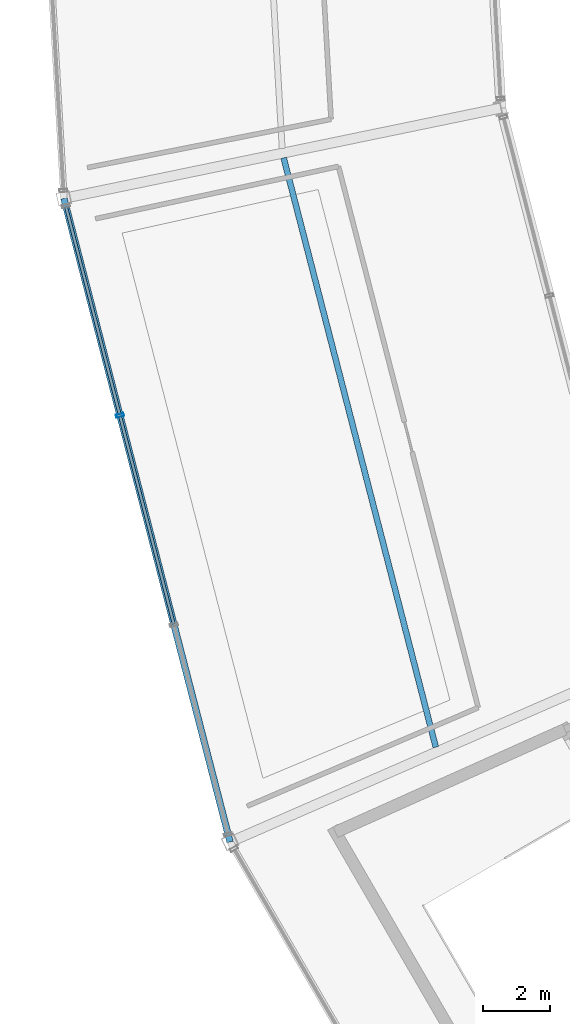
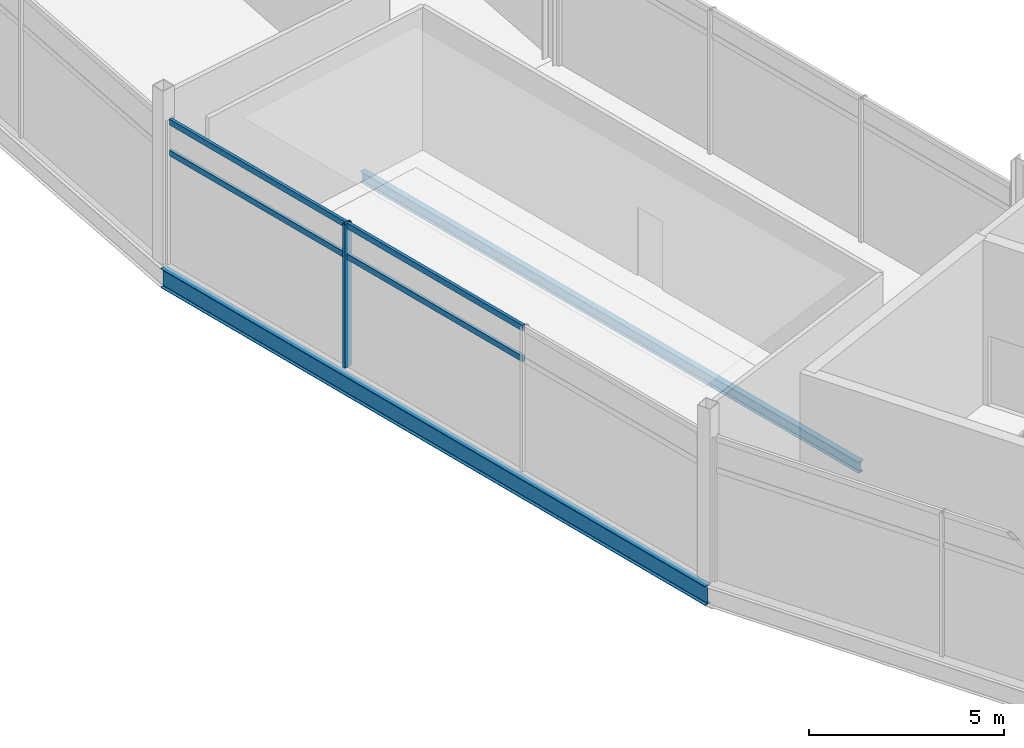
# One storey, part 26 of 86: 5 members, 2 beams, 1 element without a shape of its own.
"""IFC4 building model written with IfcOpenShell, lengths in metres."""

from ifc_helpers import new_model, si_unit, direction, frame, origin, origin_2d, place, context, subcontext, project, spatial, hollow_rectangle, i_section, extrude, material, layer, layer_set, material_profile, profile_set, type_object, element, aggregate, save


model = new_model("IFC4")

# Units and contexts
model_context = context("Model", 3, precision=1e-05, world=origin(), true_north=direction((0.0, 1.0)))
body_context = subcontext(model_context, "Body", "Model", "MODEL_VIEW")
ifc_project = project(units=[si_unit("LENGTHUNIT", "METRE"), si_unit("AREAUNIT", "SQUARE_METRE"), si_unit("VOLUMEUNIT", "CUBIC_METRE"), si_unit("PLANEANGLEUNIT", "RADIAN"), si_unit("MASSUNIT", "GRAM", prefix="KILO")], contexts=[model_context])

# Site, building, storey
site_placement = place(None, origin())
site = spatial("IfcSite", under=ifc_project, at=site_placement, CompositionType="ELEMENT")
building_placement = place(site_placement, origin())
building = spatial("IfcBuilding", under=site, at=building_placement, Name="Kazemori Nagisa Stadium", CompositionType="ELEMENT")
storey_placement = place(building_placement, frame((0.0, 0.0, 31.280029296875)))
storey = spatial("IfcBuildingStorey", under=building, at=storey_placement, Name="L06", CompositionType="ELEMENT", Elevation=31.280029296875)

# Beams
ifc_material_1 = material(Name="Steel SN490B", Category="steel")
ifc_material_profile_1 = material_profile(ifc_material_1, i_section(OverallWidth=0.175048828125, OverallDepth=0.35009765625, WebThickness=0.007080078125, FlangeThickness=0.010986328125, FilletRadius=0.012939453125, at=origin_2d()), Name="H-350x175x7x11")
ifc_profile_set_1 = profile_set([ifc_material_profile_1], Name="Steel SN490B")
beam_type_1 = type_object("IfcBeamType", Name="Beam_BJ-H350", PredefinedType="JOIST", material=ifc_profile_set_1)
beam_1_placement = place(storey_placement, frame((35.72705078125, 83.81982421875, -0.43505859375), z_axis=(0.249965990044, -0.968254617248, 0.0), x_axis=(0.968254617248, 0.249965990044, 0.0)))
element("IfcBeam", 1, at=beam_1_placement, inside=storey, type_object=beam_type_1, Name="Outer bay joist BJ-H350 L06 B16", PredefinedType="JOIST", context=body_context, shape_type="SweptSolid", body=[
    extrude(i_section(OverallWidth=0.175048828125, OverallDepth=0.35009765625, WebThickness=0.007080078125, FlangeThickness=0.010986328125, FilletRadius=0.012939453125, at=origin_2d()), origin(), (0.0, 0.0, 1.0), 18.29736328125),
])
ifc_material_profile_2 = material_profile(ifc_material_1, i_section(OverallWidth=0.199951171875, OverallDepth=0.60009765625, WebThickness=0.010986328125, FlangeThickness=0.01708984375, FilletRadius=0.012939453125, at=origin_2d()), Name="H-600x200x11x17")
ifc_profile_set_2 = profile_set([ifc_material_profile_2], Name="Steel SN490B")
beam_type_2 = type_object("IfcBeamType", Name="Beam_BS-H600", PredefinedType="SPANDREL", material=ifc_profile_set_2)
beam_2_placement = place(storey_placement, frame((29.119140625, 82.602294921875, -0.56005859375), z_axis=(0.249964097999, -0.968255105699, 0.0), x_axis=(0.968255105699, 0.249964097999, 0.0)))
element("IfcBeam", 2, at=beam_2_placement, inside=storey, type_object=beam_type_2, Name="Ring girder BS-H600 L06 R3-16", PredefinedType="SPANDREL", context=body_context, shape_type="SweptSolid", body=[
    extrude(i_section(OverallWidth=0.199951171875, OverallDepth=0.60009765625, WebThickness=0.010986328125, FlangeThickness=0.01708984375, FilletRadius=0.012939453125, at=origin_2d()), origin(), (0.0, 0.0, 1.0), 19.986328125),
])

# Curtain wall, members
ifc_material_2 = material(Name="Anodised aluminium 6063-T5", Category="aluminium")
ifc_layer = layer(ifc_material_2, 0.239990234375, Name="Anodised aluminium 6063-T5", Category="aluminium")
ifc_layer_set = layer_set([ifc_layer], Name="Anodised aluminium 6063-T5")
curtain_wall_type = type_object("IfcCurtainWallType", Name="CW_L06R3_98", PredefinedType="USERDEFINED", material=ifc_layer_set)
curtain_wall_placement = place(storey_placement, origin())
curtain_wall = element("IfcCurtainWall", 3, at=curtain_wall_placement, inside=storey, type_object=curtain_wall_type, Name="Unitised curtain wall CW-L06R3-98 L06", ObjectType="UNITISED CURTAIN WALL", PredefinedType="USERDEFINED")
ifc_material_3 = material(Name="Aluminium 6063-T5 anodised", Category="aluminium")
ifc_material_profile_3 = material_profile(ifc_material_3, hollow_rectangle(XDim=0.090087890625, YDim=0.239990234375, WallThickness=0.0048828125, at=origin_2d()), Name="ALU-MULL-90x240x5")
ifc_profile_set_3 = profile_set([ifc_material_profile_3], Name="Aluminium 6063-T5 anodised")
member_type_1 = type_object("IfcMemberType", Name="Mullion_M03", PredefinedType="MULLION", material=ifc_profile_set_3)
member_1_placement = place(storey_placement, frame((30.803955078125, 76.075927734375, 0.0), z_axis=(0.0, 0.0, 1.0), x_axis=(0.249964642418, -0.968254965152, 0.0)))
member_1 = element("IfcMember", 4, at=member_1_placement, type_object=member_type_1, Name="Curtain wall mullion CW-L06R3-98-M2", PredefinedType="MULLION", context=body_context, shape_type="SweptSolid", body=[
    extrude(hollow_rectangle(XDim=0.090087890625, YDim=0.239990234375, WallThickness=0.0048828125, at=origin_2d()), origin(), (0.0, 0.0, 1.0), 4.510009765625),
])
ifc_material_profile_4 = material_profile(ifc_material_3, hollow_rectangle(XDim=0.090087890625, YDim=0.179931640625, WallThickness=0.0048828125, at=origin_2d()), Name="ALU-TRAN-90x180x5")
ifc_profile_set_4 = profile_set([ifc_material_profile_4], Name="Aluminium 6063-T5 anodised")
member_type_2 = type_object("IfcMemberType", Name="Transom_T03", PredefinedType="USERDEFINED", material=ifc_profile_set_4)
member_2_placement = place(storey_placement, frame((29.182861328125, 82.35546875, 3.47265625), z_axis=(0.249973947669, -0.968252562861, 0.0), x_axis=(0.968252562861, 0.249973947669, 0.0)))
member_2 = element("IfcMember", 5, at=member_2_placement, type_object=member_type_2, Name="Curtain wall transom CW-L06R3-98-T1-mid", ObjectType="TRANSOM", PredefinedType="USERDEFINED", context=body_context, shape_type="SweptSolid", body=[
    extrude(hollow_rectangle(XDim=0.090087890625, YDim=0.179931640625, WallThickness=0.0048828125, at=origin_2d()), origin(), (0.0, 0.0, 1.0), 6.465576171875),
])
member_3_placement = place(storey_placement, frame((29.182861328125, 82.35546875, 4.43994140625), z_axis=(0.249973947669, -0.968252562861, 0.0), x_axis=(0.968252562861, 0.249973947669, 0.0)))
member_3 = element("IfcMember", 6, at=member_3_placement, type_object=member_type_2, Name="Curtain wall transom CW-L06R3-98-T1-head", ObjectType="TRANSOM", PredefinedType="USERDEFINED", context=body_context, shape_type="SweptSolid", body=[
    extrude(hollow_rectangle(XDim=0.090087890625, YDim=0.179931640625, WallThickness=0.0048828125, at=origin_2d()), origin(), (0.0, 0.0, 1.0), 6.465576171875),
])
member_4_placement = place(storey_placement, frame((30.80908203125, 76.056396484375, 3.47265625), z_axis=(0.249983087445, -0.968250203197, 0.0), x_axis=(0.968250203197, 0.249983087445, 0.0)))
member_4 = element("IfcMember", 7, at=member_4_placement, type_object=member_type_2, Name="Curtain wall transom CW-L06R3-98-T2-mid", ObjectType="TRANSOM", PredefinedType="USERDEFINED", context=body_context, shape_type="SweptSolid", body=[
    extrude(hollow_rectangle(XDim=0.090087890625, YDim=0.179931640625, WallThickness=0.0048828125, at=origin_2d()), origin(), (0.0, 0.0, 1.0), 6.46533203125),
])
member_5_placement = place(storey_placement, frame((30.80908203125, 76.056396484375, 4.43994140625), z_axis=(0.249983087445, -0.968250203197, 0.0), x_axis=(0.968250203197, 0.249983087445, 0.0)))
member_5 = element("IfcMember", 8, at=member_5_placement, type_object=member_type_2, Name="Curtain wall transom CW-L06R3-98-T2-head", ObjectType="TRANSOM", PredefinedType="USERDEFINED", context=body_context, shape_type="SweptSolid", body=[
    extrude(hollow_rectangle(XDim=0.090087890625, YDim=0.179931640625, WallThickness=0.0048828125, at=origin_2d()), origin(), (0.0, 0.0, 1.0), 6.46533203125),
])
aggregate(curtain_wall, [member_1, member_2, member_3, member_4, member_5])

save(model, "model.ifc")
